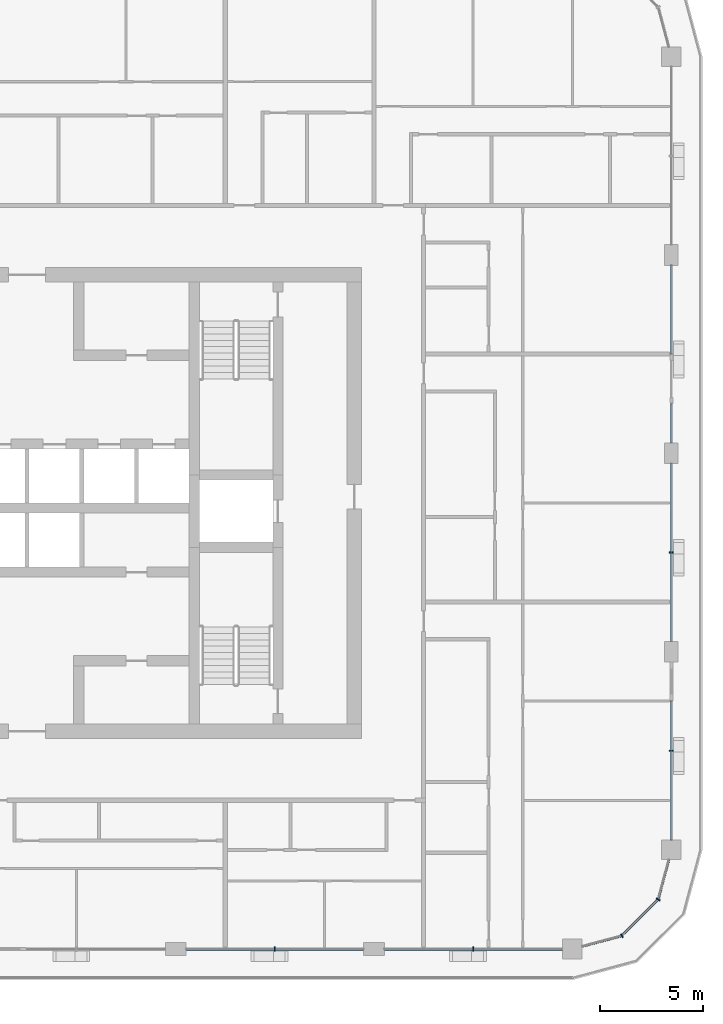
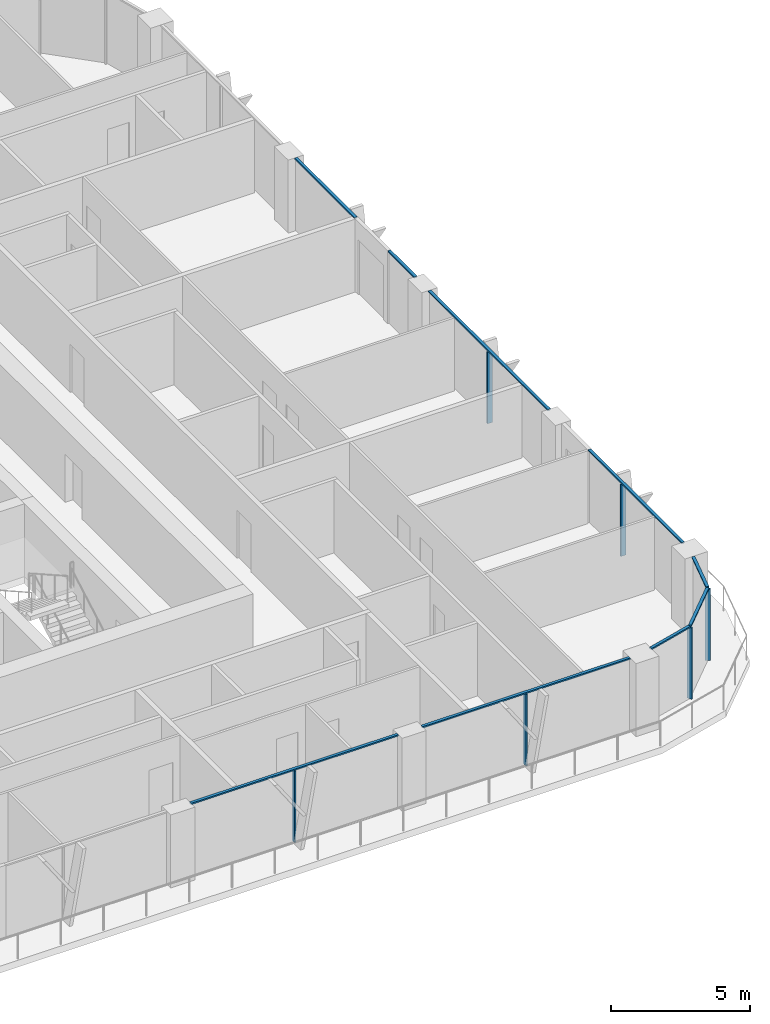
# One storey, part 4 of 22: 15 members, 6 elements without a shape of their own.
"""IFC4 building model written with IfcOpenShell, lengths in metres."""

from ifc_helpers import new_model, si_unit, direction, frame, origin, origin_2d, place, context, subcontext, project, spatial, rectangle, extrude, material, layer, layer_set, material_profile, profile_set, type_object, element, aggregate, save


model = new_model("IFC4")

# Units and contexts
model_context = context("Model", 3, precision=1e-05, world=origin(), true_north=direction((0.0, 1.0)))
body_context = subcontext(model_context, "Body", "Model", "MODEL_VIEW")
ifc_project = project(units=[si_unit("LENGTHUNIT", "METRE"), si_unit("AREAUNIT", "SQUARE_METRE"), si_unit("VOLUMEUNIT", "CUBIC_METRE"), si_unit("PLANEANGLEUNIT", "RADIAN"), si_unit("MASSUNIT", "GRAM", prefix="KILO")], contexts=[model_context])

# Site, building, storey
site_placement = place(None, origin())
site = spatial("IfcSite", under=ifc_project, at=site_placement, CompositionType="ELEMENT")
building_placement = place(site_placement, origin())
building = spatial("IfcBuilding", under=site, at=building_placement, Name="Madar Terraces", CompositionType="ELEMENT")
storey_placement = place(building_placement, frame((0.0, 0.0, 208.800048828125)))
storey = spatial("IfcBuildingStorey", under=building, at=storey_placement, Name="L54", CompositionType="ELEMENT", Elevation=208.800048828125)

# Curtain wall, member
ifc_material_1 = material(Name="Glass, ceramic frit dark grey, with black aluminium frame", Category="aluminium")
ifc_layer = layer(ifc_material_1, 0.199951171875)
ifc_layer_set = layer_set([ifc_layer], Name="Facade curtain wall, fritted glass")
curtain_wall_type = type_object("IfcCurtainWallType", Name="Facade curtain wall, fritted glass", PredefinedType="NOTDEFINED", material=ifc_layer_set)
curtain_wall_1_placement = place(storey_placement, origin())
curtain_wall_1 = element("IfcCurtainWall", 1, at=curtain_wall_1_placement, inside=storey, type_object=curtain_wall_type, Name="Outer skin curtain wall south bay 4", PredefinedType="NOTDEFINED")
ifc_material_2 = material(Name="Aluminium, black anodised", Category="aluminium")
ifc_material_profile_1 = material_profile(ifc_material_2, rectangle(XDim=0.199951171875, YDim=0.06005859375, at=origin_2d()), Name="Facade mullion 60x200")
ifc_profile_set_1 = profile_set([ifc_material_profile_1], Name="Aluminium, black anodised")
member_type_1 = type_object("IfcMemberType", Name="Facade mullion 60x200", PredefinedType="MULLION", material=ifc_profile_set_1)
member_1_placement = place(storey_placement, frame((43.199951171875, 4.800048828125, 0.0), z_axis=(0.0, 0.0, 1.0), x_axis=(0.0, 1.0, 0.0)))
member_1 = element("IfcMember", 2, at=member_1_placement, type_object=member_type_1, Name="Mullion 1", PredefinedType="MULLION", context=body_context, shape_type="SweptSolid", body=[
    extrude(rectangle(XDim=0.199951171875, YDim=0.06005859375, at=origin_2d()), origin(), (0.0, 0.0, 1.0), 3.139892578125),
])

curtain_wall_2_placement = place(storey_placement, origin())
curtain_wall_2 = element("IfcCurtainWall", 3, at=curtain_wall_2_placement, inside=storey, type_object=curtain_wall_type, Name="Outer skin curtain wall south bay 5", PredefinedType="NOTDEFINED")
member_2_placement = place(storey_placement, frame((52.800048828125, 4.800048828125, 0.0), z_axis=(0.0, 0.0, 1.0), x_axis=(0.0, 1.0, 0.0)))
member_2 = element("IfcMember", 4, at=member_2_placement, type_object=member_type_1, Name="Mullion 1", PredefinedType="MULLION", context=body_context, shape_type="SweptSolid", body=[
    extrude(rectangle(XDim=0.199951171875, YDim=0.06005859375, at=origin_2d()), origin(), (0.0, 0.0, 1.0), 3.139892578125),
])

curtain_wall_3_placement = place(storey_placement, origin())
curtain_wall_3 = element("IfcCurtainWall", 5, at=curtain_wall_3_placement, inside=storey, type_object=curtain_wall_type, Name="Outer skin curtain wall east bay 1", PredefinedType="NOTDEFINED")
member_3_placement = place(storey_placement, frame((62.39990234375, 14.39990234375, 0.0), z_axis=(0.0, 0.0, 1.0), x_axis=(-1.0, 0.0, 0.0)))
member_3 = element("IfcMember", 6, at=member_3_placement, type_object=member_type_1, Name="Mullion 1", PredefinedType="MULLION", context=body_context, shape_type="SweptSolid", body=[
    extrude(rectangle(XDim=0.199951171875, YDim=0.06005859375, at=origin_2d()), origin(), (0.0, 0.0, 1.0), 3.139892578125),
])

curtain_wall_4_placement = place(storey_placement, origin())
curtain_wall_4 = element("IfcCurtainWall", 7, at=curtain_wall_4_placement, inside=storey, type_object=curtain_wall_type, Name="Outer skin curtain wall east bay 2", PredefinedType="NOTDEFINED")
member_4_placement = place(storey_placement, frame((62.39990234375, 24.0, 0.0), z_axis=(0.0, 0.0, 1.0), x_axis=(-1.0, 0.0, 0.0)))
member_4 = element("IfcMember", 8, at=member_4_placement, type_object=member_type_1, Name="Mullion 1", PredefinedType="MULLION", context=body_context, shape_type="SweptSolid", body=[
    extrude(rectangle(XDim=0.199951171875, YDim=0.06005859375, at=origin_2d()), origin(), (0.0, 0.0, 1.0), 3.139892578125),
])

# Curtain wall, members
curtain_wall_5_placement = place(storey_placement, origin())
curtain_wall_5 = element("IfcCurtainWall", 9, at=curtain_wall_5_placement, inside=storey, type_object=curtain_wall_type, Name="Outer skin curtain wall south-east corner", PredefinedType="NOTDEFINED")
member_5_placement = place(storey_placement, frame((60.0, 5.443115234375, 0.0), z_axis=(0.0, 0.0, 1.0), x_axis=(-0.499999989586, 0.866025409797, 0.0)))
member_5 = element("IfcMember", 10, at=member_5_placement, type_object=member_type_1, Name="Mullion 1", PredefinedType="MULLION", context=body_context, shape_type="SweptSolid", body=[
    extrude(rectangle(XDim=0.199951171875, YDim=0.06005859375, at=origin_2d()), origin(), (0.0, 0.0, 1.0), 3.139892578125),
])
member_6_placement = place(storey_placement, frame((61.7568359375, 7.199951171875, 0.0), z_axis=(0.0, 0.0, 1.0), x_axis=(-0.866025409797, 0.499999989586, 0.0)))
member_6 = element("IfcMember", 11, at=member_6_placement, type_object=member_type_1, Name="Mullion 2", PredefinedType="MULLION", context=body_context, shape_type="SweptSolid", body=[
    extrude(rectangle(XDim=0.199951171875, YDim=0.06005859375, at=origin_2d()), origin(), (0.0, 0.0, 1.0), 3.139892578125),
])

# Member
ifc_material_3 = material(Name="Aluminium, black anodised", Category="aluminium")
ifc_material_profile_2 = material_profile(ifc_material_3, rectangle(XDim=0.1201171875, YDim=0.06005859375, at=origin_2d()), Name="Facade transom 60x120")
ifc_profile_set_2 = profile_set([ifc_material_profile_2], Name="Aluminium, black anodised")
member_type_2 = type_object("IfcMemberType", Name="Facade transom 60x120", PredefinedType="USERDEFINED", material=ifc_profile_set_2)
member_7_placement = place(storey_placement, frame((38.89990234375, 4.800048828125, 3.169921875), z_axis=(1.0, 0.0, 0.0), x_axis=(0.0, 1.0, 0.0)))
member_7 = element("IfcMember", 12, at=member_7_placement, type_object=member_type_2, Name="Transom 1", ObjectType="TRANSOM", PredefinedType="USERDEFINED", context=body_context, shape_type="SweptSolid", body=[
    extrude(rectangle(XDim=0.1201171875, YDim=0.06005859375, at=origin_2d()), origin(), (0.0, 0.0, 1.0), 8.60009765625),
])

aggregate(curtain_wall_1, [member_1, member_7])

member_8_placement = place(storey_placement, frame((48.5, 4.800048828125, 3.169921875), z_axis=(1.0, 0.0, 0.0), x_axis=(0.0, 1.0, 0.0)))
member_8 = element("IfcMember", 13, at=member_8_placement, type_object=member_type_2, Name="Transom 1", ObjectType="TRANSOM", PredefinedType="USERDEFINED", context=body_context, shape_type="SweptSolid", body=[
    extrude(rectangle(XDim=0.1201171875, YDim=0.06005859375, at=origin_2d()), origin(), (0.0, 0.0, 1.0), 8.625),
])

aggregate(curtain_wall_2, [member_2, member_8])

member_9_placement = place(storey_placement, frame((62.39990234375, 10.074951171875, 3.169921875), z_axis=(0.0, 1.0, 0.0), x_axis=(-1.0, 0.0, 0.0)))
member_9 = element("IfcMember", 14, at=member_9_placement, type_object=member_type_2, Name="Transom 1", ObjectType="TRANSOM", PredefinedType="USERDEFINED", context=body_context, shape_type="SweptSolid", body=[
    extrude(rectangle(XDim=0.1201171875, YDim=0.06005859375, at=origin_2d()), origin(), (0.0, 0.0, 1.0), 6.72509765625),
])

aggregate(curtain_wall_3, [member_3, member_9])

member_10_placement = place(storey_placement, frame((62.39990234375, 19.699951171875, 3.169921875), z_axis=(0.0, 1.0, 0.0), x_axis=(-1.0, 0.0, 0.0)))
member_10 = element("IfcMember", 15, at=member_10_placement, type_object=member_type_2, Name="Transom 1", ObjectType="TRANSOM", PredefinedType="USERDEFINED", context=body_context, shape_type="SweptSolid", body=[
    extrude(rectangle(XDim=0.1201171875, YDim=0.06005859375, at=origin_2d()), origin(), (0.0, 0.0, 1.0), 8.60009765625),
])

aggregate(curtain_wall_4, [member_4, member_10])

# Curtain wall, members
curtain_wall_6_placement = place(storey_placement, origin())
curtain_wall_6 = element("IfcCurtainWall", 16, at=curtain_wall_6_placement, inside=storey, type_object=curtain_wall_type, Name="Outer skin curtain wall east bay 3", PredefinedType="NOTDEFINED")
member_11_placement = place(storey_placement, frame((62.39990234375, 29.300048828125, 3.169921875), z_axis=(0.0, 1.0, 0.0), x_axis=(-1.0, 0.0, 0.0)))
member_11 = element("IfcMember", 17, at=member_11_placement, type_object=member_type_2, Name="Transom 1", ObjectType="TRANSOM", PredefinedType="USERDEFINED", context=body_context, shape_type="SweptSolid", body=[
    extrude(rectangle(XDim=0.1201171875, YDim=0.06005859375, at=origin_2d()), origin(), (0.0, 0.0, 1.0), 1.89990234375),
])
member_12_placement = place(storey_placement, frame((62.39990234375, 33.60009765625, 3.169921875), z_axis=(0.0, 1.0, 0.0), x_axis=(-1.0, 0.0, 0.0)))
member_12 = element("IfcMember", 18, at=member_12_placement, type_object=member_type_2, Name="Transom 2", ObjectType="TRANSOM", PredefinedType="USERDEFINED", context=body_context, shape_type="SweptSolid", body=[
    extrude(rectangle(XDim=0.1201171875, YDim=0.06005859375, at=origin_2d()), origin(), (0.0, 0.0, 1.0), 4.2998046875),
])
aggregate(curtain_wall_6, [member_11, member_12])

# Member
member_13_placement = place(storey_placement, frame((58.074951171875, 4.92724609375, 3.169921875), z_axis=(0.96592251241, 0.258831412352, 0.0), x_axis=(-0.258831412352, 0.96592251241, 0.0)))
member_13 = element("IfcMember", 19, at=member_13_placement, type_object=member_type_2, Name="Transom 1", ObjectType="TRANSOM", PredefinedType="USERDEFINED", context=body_context, shape_type="SweptSolid", body=[
    extrude(rectangle(XDim=0.1201171875, YDim=0.06005859375, at=origin_2d()), origin(), (0.0, 0.0, 1.0), 1.962890625),
])

member_14_placement = place(storey_placement, frame((60.021240234375, 5.46435546875, 3.169921875), z_axis=(0.707106781187, 0.707106781187, 0.0), x_axis=(-0.707106781187, 0.707106781187, 0.0)))
member_14 = element("IfcMember", 20, at=member_14_placement, type_object=member_type_2, Name="Transom 2", ObjectType="TRANSOM", PredefinedType="USERDEFINED", context=body_context, shape_type="SweptSolid", body=[
    extrude(rectangle(XDim=0.1201171875, YDim=0.06005859375, at=origin_2d()), origin(), (0.0, 0.0, 1.0), 2.424560546875),
])

member_15_placement = place(storey_placement, frame((61.7646484375, 7.22900390625, 3.169921875), z_axis=(0.258831412352, 0.96592251241, 0.0), x_axis=(-0.96592251241, 0.258831412352, 0.0)))
member_15 = element("IfcMember", 21, at=member_15_placement, type_object=member_type_2, Name="Transom 3", ObjectType="TRANSOM", PredefinedType="USERDEFINED", context=body_context, shape_type="SweptSolid", body=[
    extrude(rectangle(XDim=0.1201171875, YDim=0.06005859375, at=origin_2d()), origin(), (0.0, 0.0, 1.0), 1.962890625),
])

aggregate(curtain_wall_5, [member_5, member_13, member_6, member_14, member_15])

save(model, "model.ifc")
